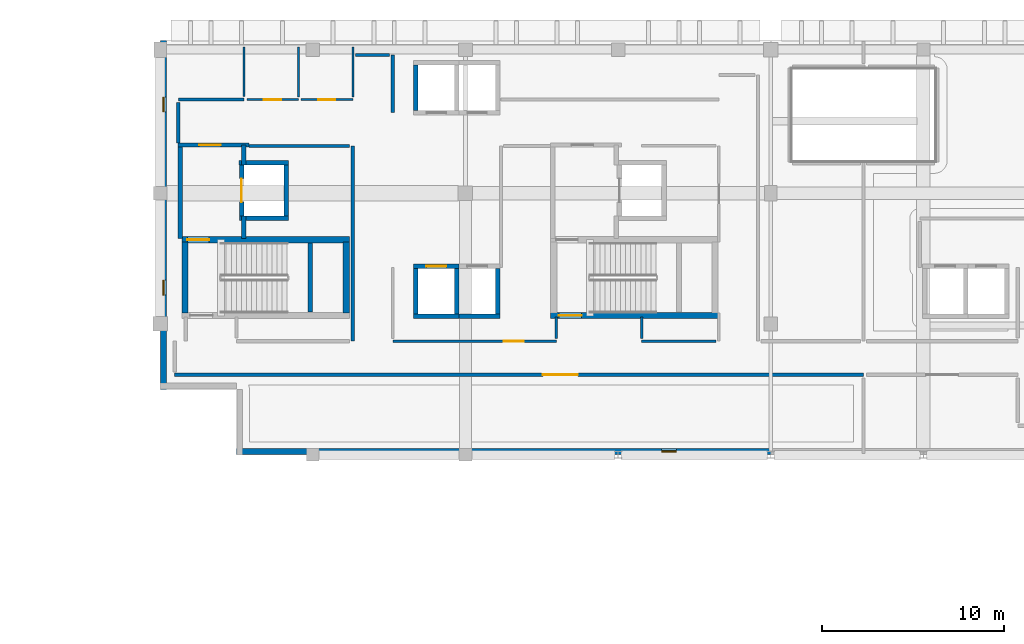
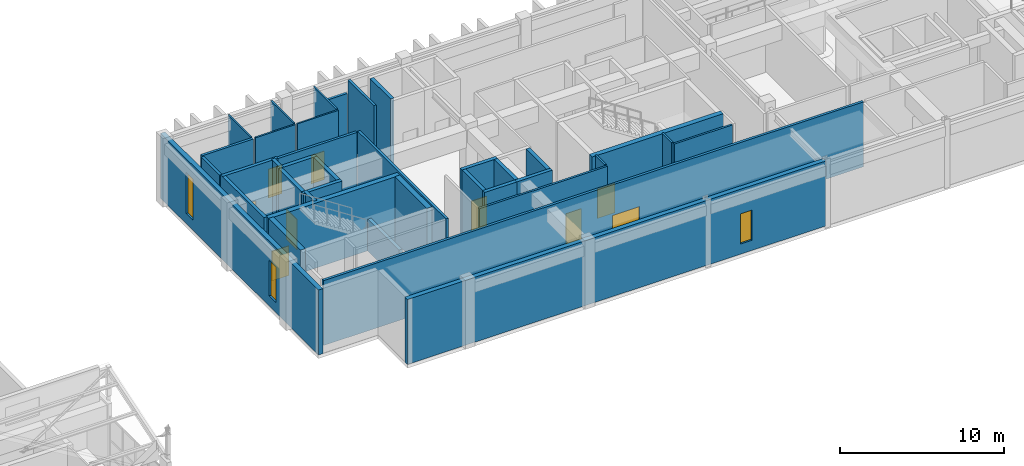
# One storey, part 28 of 34: 38 walls, 9 doors, 3 windows, 12 openings.
"""IFC4 building model written with IfcOpenShell, lengths in metres."""

from ifc_helpers import new_model, si_unit, direction, frame, frame_2d, origin, place, context, subcontext, project, spatial, rectangle, extrude, material, layer, layer_set, type_object, element, fill, save


model = new_model("IFC4")

# Units and contexts
model_context = context("Model", 3, precision=1e-05, world=origin(), true_north=direction((0.0, 1.0)))
body_context = subcontext(model_context, "Body", "Model", "MODEL_VIEW")
ifc_project = project(units=[si_unit("LENGTHUNIT", "METRE"), si_unit("AREAUNIT", "SQUARE_METRE"), si_unit("VOLUMEUNIT", "CUBIC_METRE"), si_unit("PLANEANGLEUNIT", "RADIAN"), si_unit("MASSUNIT", "GRAM", prefix="KILO")], contexts=[model_context])

# Site, building, storey
site_placement = place(None, origin())
site = spatial("IfcSite", under=ifc_project, at=site_placement, CompositionType="ELEMENT")
building_placement = place(site_placement, origin())
building = spatial("IfcBuilding", under=site, at=building_placement, Name="Quendrovan Civic Courthouse", CompositionType="ELEMENT")
storey_placement = place(building_placement, frame((0.0, 0.0, 25.5)))
storey = spatial("IfcBuildingStorey", under=building, at=storey_placement, Name="L06", CompositionType="ELEMENT", Elevation=25.5)

# Walls
ifc_material_1 = material(Name="Acoustic gypsum stud partition")
ifc_layer_1 = layer(ifc_material_1, 0.139892578125, Name="Acoustic gypsum stud partition")
ifc_layer_set_1 = layer_set([ifc_layer_1], Name="Acoustic gypsum stud partition")
wall_type_1 = type_object("IfcWallType", Name="WL-CHM-140", PredefinedType="PARTITIONING", material=ifc_layer_set_1)
wall_1_placement = place(storey_placement, frame((64.199951171875, 93.85009765625, 0.0), z_axis=(0.0, 0.0, 1.0), x_axis=(-1.0, 0.0, 0.0)))
element("IfcWall", 1, at=wall_1_placement, inside=storey, type_object=wall_type_1, Name="L06 Judges' Chambers Suite Partition 0786", PredefinedType="PARTITIONING", context=body_context, shape_type="SweptSolid", body=[
    extrude(rectangle(XDim=4.099853515625, YDim=0.139892578125, at=frame_2d((2.0498046875, 0.0))), origin(), (0.0, 0.0, 1.0), 4.820068359375),
])
wall_2_placement = place(storey_placement, frame((60.10009765625, 94.0, 0.0), z_axis=(0.0, 0.0, 1.0), x_axis=(0.0, 1.0, 0.0)))
element("IfcWall", 2, at=wall_2_placement, inside=storey, type_object=wall_type_1, Name="L06 Judges' Chambers Suite Partition 0820", PredefinedType="PARTITIONING", context=body_context, shape_type="SweptSolid", body=[
    extrude(rectangle(XDim=1.179931640625, YDim=0.139892578125, at=frame_2d((0.58984375, 0.0))), origin(), (0.0, 0.0, 1.0), 4.820068359375),
])

# Wall, opening, door
ifc_material_2 = material(Name="Concrete C45/55", Category="concrete")
ifc_layer_2 = layer(ifc_material_2, 0.35009765625, Name="Concrete C45/55")
ifc_layer_set_2 = layer_set([ifc_layer_2], Name="Concrete C45/55")
wall_type_2 = type_object("IfcWallType", Name="WL-CORE-350", PredefinedType="SHEAR", material=ifc_layer_set_2)
wall_3_placement = place(storey_placement, frame((44.010009765625, 99.43505859375, 0.0), z_axis=(0.0, 0.0, 1.0), x_axis=(-1.0, 0.0, 0.0)))
wall_3 = element("IfcWall", 3, at=wall_3_placement, inside=storey, type_object=wall_type_2, Name="L06 Core Shear Wall ST1-N", PredefinedType="SHEAR", context=body_context, shape_type="SweptSolid", body=[
    extrude(rectangle(XDim=9.219970703125, YDim=0.35009765625, at=frame_2d((4.60986328125, 0.0))), origin(), (0.0, 0.0, 1.0), 4.820068359375),
])
opening_1_placement = place(wall_3_placement, frame((7.719970703125, 0.0, 0.0)))
opening_1 = element("IfcOpeningElement", 4, at=opening_1_placement, cuts=wall_3, Name="Opening DFF-ST1-L06", PredefinedType="OPENING", context=body_context, shape_type="SweptSolid", body=[
    extrude(rectangle(XDim=1.199951171875, YDim=2.199951171875, at=frame_2d((0.60009765625, 1.10009765625))), frame((0.0, 0.18505859375, 0.0), z_axis=(0.0, -1.0, 0.0), x_axis=(1.0, 0.0, 0.0)), (0.0, 0.0, 1.0), 0.3701171875),
])
ifc_material_3 = material(Name="Painted galvanized hollow-metal steel", Category="steel")
door_type_1 = type_object("IfcDoorType", Name="DR-FFLOB-1200", OperationType="NOTDEFINED", PredefinedType="DOOR", material=ifc_material_3)
door_1_placement = place(opening_1_placement, origin())
door_1 = element("IfcDoor", 5, at=door_1_placement, inside=storey, type_object=door_type_1, Name="L06 Firefighting Lobby FL1 Direct Stair ST1 Door", OperationType="SINGLE_SWING_RIGHT", OverallHeight=2.199951171875, OverallWidth=1.199951171875, PredefinedType="DOOR", context=body_context, shape_type="SweptSolid", body=[
    extrude(rectangle(XDim=1.199951171875, YDim=2.199951171875, at=frame_2d((0.60009765625, 1.10009765625))), frame((0.0, 0.02490234375, 0.0), z_axis=(0.0, -1.0, 0.0), x_axis=(1.0, 0.0, 0.0)), (0.0, 0.0, 1.0), 0.050048828125),
])
fill(opening_1, door_1)

# Walls
for number, where, z_axis, x_axis, name in (
    (6, (34.965087890625, 95.39990234375, 0.0), (0.0, 0.0, 1.0), (0.0, 1.0, 0.0), "L06 Core Shear Wall ST1-W"),
    (7, (43.8349609375, 99.300048828125, 0.0), (0.0, 0.0, 1.0), (0.0, -1.0, 0.0), "L06 Core Shear Wall ST1-E"),
):
    element("IfcWall", number, at=place(storey_placement, frame(where, z_axis=z_axis, x_axis=x_axis)), inside=storey, type_object=wall_type_2, Name=name, PredefinedType="SHEAR", context=body_context, shape_type="SweptSolid", body=[
        extrude(rectangle(XDim=3.900146484375, YDim=0.35009765625, at=frame_2d((1.9501953125, 0.0))), origin(), (0.0, 0.0, 1.0), 4.820068359375),
    ])

# Wall, opening, door
wall_4_placement = place(storey_placement, frame((55.090087890625, 95.264892578125, 0.0), z_axis=(0.0, 0.0, 1.0), x_axis=(1.0, 0.0, 0.0)))
wall_4 = element("IfcWall", 8, at=wall_4_placement, inside=storey, type_object=wall_type_2, Name="L06 Core Shear Wall ST2-S", PredefinedType="SHEAR", context=body_context, shape_type="SweptSolid", body=[
    extrude(rectangle(XDim=9.219970703125, YDim=0.35009765625, at=frame_2d((4.60986328125, 0.0))), origin(), (0.0, 0.0, 1.0), 4.820068359375),
])
opening_2_placement = place(wall_4_placement, frame((0.449951171875, 0.0, 0.0)))
opening_2 = element("IfcOpeningElement", 9, at=opening_2_placement, cuts=wall_4, Name="Opening DS-ST2-L06", PredefinedType="OPENING", context=body_context, shape_type="SweptSolid", body=[
    extrude(rectangle(XDim=1.25, YDim=2.199951171875, at=frame_2d((0.625, 1.10009765625))), frame((0.0, 0.18505859375, 0.0), z_axis=(0.0, -1.0, 0.0), x_axis=(1.0, 0.0, 0.0)), (0.0, 0.0, 1.0), 0.3701171875),
])
door_type_2 = type_object("IfcDoorType", Name="DR-STAIR-1250", OperationType="NOTDEFINED", PredefinedType="DOOR", material=ifc_material_3)
door_2_placement = place(opening_2_placement, origin())
door_2 = element("IfcDoor", 10, at=door_2_placement, inside=storey, type_object=door_type_2, Name="L06 Exit Stair ST2 Fire Door", OperationType="SINGLE_SWING_LEFT", OverallHeight=2.199951171875, OverallWidth=1.25, PredefinedType="DOOR", context=body_context, shape_type="SweptSolid", body=[
    extrude(rectangle(XDim=1.25, YDim=2.199951171875, at=frame_2d((0.625, 1.10009765625))), frame((0.0, 0.02490234375, 0.0), z_axis=(0.0, -1.0, 0.0), x_axis=(1.0, 0.0, 0.0)), (0.0, 0.0, 1.0), 0.050048828125),
])
fill(opening_2, door_2)

ifc_material_4 = material(Name="Acoustic gypsum and mineral wool partition")
ifc_layer_3 = layer(ifc_material_4, 0.179931640625, Name="Acoustic gypsum and mineral wool partition")
ifc_layer_set_3 = layer_set([ifc_layer_3], Name="Acoustic gypsum and mineral wool partition")
wall_type_3 = type_object("IfcWallType", Name="WL-CRT-AC180", PredefinedType="PARTITIONING", material=ifc_layer_set_3)
wall_5_placement = place(storey_placement, frame((34.39990234375, 92.0, 0.0), z_axis=(0.0, 0.0, 1.0), x_axis=(1.0, 0.0, 0.0)))
wall_5 = element("IfcWall", 11, at=wall_5_placement, inside=storey, type_object=wall_type_3, Name="L06 Family Courtroom Partition 0752", PredefinedType="PARTITIONING", context=body_context, shape_type="SweptSolid", body=[
    extrude(rectangle(XDim=37.900146484375, YDim=0.179931640625, at=frame_2d((18.9501953125, 0.0))), origin(), (0.0, 0.0, 1.0), 4.820068359375),
])
opening_3_placement = place(wall_5_placement, frame((20.263916015625, 0.0, 0.0)))
opening_3 = element("IfcOpeningElement", 12, at=opening_3_placement, cuts=wall_5, Name="Opening D-L06-110", PredefinedType="OPENING", context=body_context, shape_type="SweptSolid", body=[
    extrude(rectangle(XDim=1.919921875, YDim=2.550048828125, at=frame_2d((0.9599609375, 1.27490234375))), frame((0.0, 0.10009765625, 0.0), z_axis=(0.0, -1.0, 0.0), x_axis=(1.0, 0.0, 0.0)), (0.0, 0.0, 1.0), 0.199951171875),
])
ifc_material_5 = material(Name="Acoustic solid Western Red Cedar timber door", Category="wood")
door_type_3 = type_object("IfcDoorType", Name="DR-CRT-DBL1920", OperationType="NOTDEFINED", PredefinedType="DOOR", material=ifc_material_5)
door_3_placement = place(opening_3_placement, origin())
door_3 = element("IfcDoor", 13, at=door_3_placement, inside=storey, type_object=door_type_3, Name="L06 Family Courtroom Door D-L06-110", OperationType="SINGLE_SWING_LEFT", OverallHeight=2.550048828125, OverallWidth=1.919921875, PredefinedType="DOOR", context=body_context, shape_type="SweptSolid", body=[
    extrude(rectangle(XDim=1.919921875, YDim=2.550048828125, at=frame_2d((0.9599609375, 1.27490234375))), frame((0.0, 0.02490234375, 0.0), z_axis=(0.0, -1.0, 0.0), x_axis=(1.0, 0.0, 0.0)), (0.0, 0.0, 1.0), 0.050048828125),
])
fill(opening_3, door_3)

# Walls
wall_6_placement = place(storey_placement, frame((44.199951171875, 104.60009765625, 0.0), z_axis=(0.0, 0.0, 1.0), x_axis=(0.0, -1.0, 0.0)))
element("IfcWall", 14, at=wall_6_placement, inside=storey, type_object=wall_type_3, Name="L06 Family Courtroom Partition 0763", PredefinedType="PARTITIONING", context=body_context, shape_type="SweptSolid", body=[
    extrude(rectangle(XDim=10.75, YDim=0.179931640625, at=frame_2d((5.375, 0.0))), origin(), (0.0, 0.0, 1.0), 4.820068359375),
])
wall_7_placement = place(storey_placement, frame((38.47998046875, 104.60009765625, 0.0), z_axis=(0.0, 0.0, 1.0), x_axis=(1.0, 0.0, 0.0)))
element("IfcWall", 15, at=wall_7_placement, inside=storey, type_object=wall_type_3, Name="L06 Family Courtroom Partition 0773", PredefinedType="PARTITIONING", context=body_context, shape_type="SweptSolid", body=[
    extrude(rectangle(XDim=5.550048828125, YDim=0.179931640625, at=frame_2d((2.77490234375, 0.0))), origin(), (0.0, 0.0, 1.0), 4.820068359375),
])
wall_8_placement = place(storey_placement, frame((38.199951171875, 107.14990234375, 0.0), z_axis=(0.0, 0.0, 1.0), x_axis=(-1.0, 0.0, 0.0)))
element("IfcWall", 16, at=wall_8_placement, inside=storey, type_object=wall_type_3, Name="L06 Family Courtroom Partition 0793", PredefinedType="PARTITIONING", context=body_context, shape_type="SweptSolid", body=[
    extrude(rectangle(XDim=3.599853515625, YDim=0.179931640625, at=frame_2d((1.7998046875, 0.0))), origin(), (0.0, 0.0, 1.0), 4.820068359375),
])
wall_9_placement = place(storey_placement, frame((46.39990234375, 106.449951171875, 0.0), z_axis=(0.0, 0.0, 1.0), x_axis=(0.0, 1.0, 0.0)))
element("IfcWall", 17, at=wall_9_placement, inside=storey, type_object=wall_type_3, Name="L06 Family Courtroom Partition 0794", PredefinedType="PARTITIONING", context=body_context, shape_type="SweptSolid", body=[
    extrude(rectangle(XDim=3.150146484375, YDim=0.179931640625, at=frame_2d((1.5751953125, 0.0))), origin(), (0.0, 0.0, 1.0), 4.820068359375),
])
wall_10_placement = place(storey_placement, frame((34.60009765625, 106.97998046875, 0.0), z_axis=(0.0, 0.0, 1.0), x_axis=(0.0, -1.0, 0.0)))
element("IfcWall", 18, at=wall_10_placement, inside=storey, type_object=wall_type_3, Name="L06 Family Courtroom Partition 0806", PredefinedType="PARTITIONING", context=body_context, shape_type="SweptSolid", body=[
    extrude(rectangle(XDim=2.2099609375, YDim=0.179931640625, at=frame_2d((1.10498046875, 0.0))), origin(), (0.0, 0.0, 1.0), 4.820068359375),
])
wall_11_placement = place(storey_placement, frame((46.22998046875, 109.60009765625, 0.0), z_axis=(0.0, 0.0, 1.0), x_axis=(-1.0, 0.0, 0.0)))
element("IfcWall", 19, at=wall_11_placement, inside=storey, type_object=wall_type_3, Name="L06 Family Courtroom Partition 0812", PredefinedType="PARTITIONING", context=body_context, shape_type="SweptSolid", body=[
    extrude(rectangle(XDim=1.89501953125, YDim=0.179931640625, at=frame_2d((0.947509765625, 0.0))), origin(), (0.0, 0.0, 1.0), 3.89990234375),
])

# Wall, opening, window
ifc_material_6 = material(Name="Precast concrete C45/55", Category="concrete")
ifc_layer_4 = layer(ifc_material_6, 0.320068359375, Name="Precast concrete C45/55")
ifc_layer_set_4 = layer_set([ifc_layer_4], Name="Precast concrete C45/55")
wall_type_4 = type_object("IfcWallType", Name="WL-EXT-PC320", PredefinedType="SOLIDWALL", material=ifc_layer_set_4)
wall_12_placement = place(storey_placement, frame((67.199951171875, 87.780029296875, 0.0), z_axis=(0.0, 0.0, 1.0), x_axis=(-1.0, 0.0, 0.0)))
wall_12 = element("IfcWall", 20, at=wall_12_placement, inside=storey, type_object=wall_type_4, Name="L06 Exterior Precast Concrete Wall 497", PredefinedType="SOLIDWALL", context=body_context, shape_type="SweptSolid", body=[
    extrude(rectangle(XDim=29.39990234375, YDim=0.320068359375, at=frame_2d((14.699951171875, 0.0))), origin(), (0.0, 0.0, 1.0), 4.820068359375),
])
opening_4_placement = place(wall_12_placement, frame((5.18994140625, 0.0, 0.75)))
opening_4 = element("IfcOpeningElement", 21, at=opening_4_placement, cuts=wall_12, Name="Opening W07", PredefinedType="OPENING", context=body_context, shape_type="SweptSolid", body=[
    extrude(rectangle(XDim=0.820068359375, YDim=2.25, at=frame_2d((0.41015625, 1.125))), frame((0.0, 0.169921875, 0.0), z_axis=(0.0, -1.0, 0.0), x_axis=(1.0, 0.0, 0.0)), (0.0, 0.0, 1.0), 0.340087890625),
])
ifc_material_7 = material(Name="Laminated hurricane-impact low-E glass", Category="glass")
window_type_1 = type_object("IfcWindowType", Name="WIN-SLT-07", PartitioningType="SINGLE_PANEL", PredefinedType="WINDOW", material=ifc_material_7)
window_1_placement = place(opening_4_placement, origin())
window_1 = element("IfcWindow", 22, at=window_1_placement, inside=storey, type_object=window_type_1, Name="L06 Courtroom Shaded Slot Window 0044", OverallHeight=2.25, OverallWidth=0.820068359375, PartitioningType="SINGLE_PANEL", PredefinedType="WINDOW", context=body_context, shape_type="SweptSolid", body=[
    extrude(rectangle(XDim=0.820068359375, YDim=2.25, at=frame_2d((0.41015625, 1.125))), frame((0.0, 0.030029296875, 0.0), z_axis=(0.0, -1.0, 0.0), x_axis=(1.0, 0.0, 0.0)), (0.0, 0.0, 1.0), 0.06005859375),
])
fill(opening_4, window_1)

# Wall, openings, windows
wall_13_placement = place(storey_placement, frame((33.780029296875, 91.199951171875, 0.0), z_axis=(0.0, 0.0, 1.0), x_axis=(0.0, 1.0, 0.0)))
wall_13 = element("IfcWall", 23, at=wall_13_placement, inside=storey, type_object=wall_type_4, Name="L06 Exterior Precast Concrete Wall 500", PredefinedType="SOLIDWALL", context=body_context, shape_type="SweptSolid", body=[
    extrude(rectangle(XDim=19.199951171875, YDim=0.320068359375, at=frame_2d((9.60009765625, 0.0))), origin(), (0.0, 0.0, 1.0), 4.820068359375),
])
opening_5_placement = place(wall_13_placement, frame((5.18994140625, 0.0, 0.75)))
opening_5 = element("IfcOpeningElement", 24, at=opening_5_placement, cuts=wall_13, Name="Opening W08", PredefinedType="OPENING", context=body_context, shape_type="SweptSolid", body=[
    extrude(rectangle(XDim=0.820068359375, YDim=2.64990234375, at=frame_2d((0.41015625, 1.324951171875))), frame((0.0, 0.169921875, 0.0), z_axis=(0.0, -1.0, 0.0), x_axis=(1.0, 0.0, 0.0)), (0.0, 0.0, 1.0), 0.340087890625),
])
opening_6_placement = place(wall_13_placement, frame((15.27001953125, 0.0, 0.75)))
opening_6 = element("IfcOpeningElement", 25, at=opening_6_placement, cuts=wall_13, Name="Opening W09", PredefinedType="OPENING", context=body_context, shape_type="SweptSolid", body=[
    extrude(rectangle(XDim=0.820068359375, YDim=3.050048828125, at=frame_2d((0.41015625, 1.52490234375))), frame((0.0, 0.169921875, 0.0), z_axis=(0.0, -1.0, 0.0), x_axis=(1.0, 0.0, 0.0)), (0.0, 0.0, 1.0), 0.340087890625),
])
window_type_2 = type_object("IfcWindowType", Name="WIN-SLT-08", PartitioningType="SINGLE_PANEL", PredefinedType="WINDOW", material=ifc_material_7)
window_2_placement = place(opening_5_placement, origin())
window_2 = element("IfcWindow", 26, at=window_2_placement, inside=storey, type_object=window_type_2, Name="L06 Courtroom Shaded Slot Window 0045", OverallHeight=2.64990234375, OverallWidth=0.820068359375, PartitioningType="SINGLE_PANEL", PredefinedType="WINDOW", context=body_context, shape_type="SweptSolid", body=[
    extrude(rectangle(XDim=0.820068359375, YDim=2.64990234375, at=frame_2d((0.41015625, 1.324951171875))), frame((0.0, 0.030029296875, 0.0), z_axis=(0.0, -1.0, 0.0), x_axis=(1.0, 0.0, 0.0)), (0.0, 0.0, 1.0), 0.06005859375),
])
fill(opening_5, window_2)
window_type_3 = type_object("IfcWindowType", Name="WIN-SLT-09", PartitioningType="SINGLE_PANEL", PredefinedType="WINDOW", material=ifc_material_7)
window_3_placement = place(opening_6_placement, origin())
window_3 = element("IfcWindow", 27, at=window_3_placement, inside=storey, type_object=window_type_3, Name="L06 Courtroom Shaded Slot Window 0046", OverallHeight=3.050048828125, OverallWidth=0.820068359375, PartitioningType="SINGLE_PANEL", PredefinedType="WINDOW", context=body_context, shape_type="SweptSolid", body=[
    extrude(rectangle(XDim=0.820068359375, YDim=3.050048828125, at=frame_2d((0.41015625, 1.52490234375))), frame((0.0, 0.030029296875, 0.0), z_axis=(0.0, -1.0, 0.0), x_axis=(1.0, 0.0, 0.0)), (0.0, 0.0, 1.0), 0.06005859375),
])
fill(opening_6, window_3)

# Wall, opening, door
ifc_material_8 = material(Name="Concrete C40/50", Category="concrete")
ifc_layer_5 = layer(ifc_material_8, 0.22998046875, Name="Concrete C40/50")
ifc_layer_set_5 = layer_set([ifc_layer_5], Name="Concrete C40/50")
wall_type_5 = type_object("IfcWallType", Name="WL-FFLOB-230", PredefinedType="PARTITIONING", material=ifc_layer_set_5)
wall_14_placement = place(storey_placement, frame((34.590087890625, 104.64990234375, 0.0), z_axis=(0.0, 0.0, 1.0), x_axis=(1.0, 0.0, 0.0)))
wall_14 = element("IfcWall", 28, at=wall_14_placement, inside=storey, type_object=wall_type_5, Name="L06 Firefighting Lift Lobby FL1 Wall N", PredefinedType="PARTITIONING", context=body_context, shape_type="SweptSolid", body=[
    extrude(rectangle(XDim=3.889892578125, YDim=0.22998046875, at=frame_2d((1.94482421875, 0.0))), origin(), (0.0, 0.0, 1.0), 4.820068359375),
])
opening_7_placement = place(wall_14_placement, frame((1.14990234375, 0.0, 0.0)))
opening_7 = element("IfcOpeningElement", 29, at=opening_7_placement, cuts=wall_14, Name="Opening DF-FL1-L06N", PredefinedType="OPENING", context=body_context, shape_type="SweptSolid", body=[
    extrude(rectangle(XDim=1.199951171875, YDim=2.199951171875, at=frame_2d((0.60009765625, 1.10009765625))), frame((0.0, 0.125, 0.0), z_axis=(0.0, -1.0, 0.0), x_axis=(1.0, 0.0, 0.0)), (0.0, 0.0, 1.0), 0.25),
])
door_4_placement = place(opening_7_placement, origin())
door_4 = element("IfcDoor", 30, at=door_4_placement, inside=storey, type_object=door_type_1, Name="L06 Firefighting Lobby FL1 Fire Door N", OperationType="SINGLE_SWING_LEFT", OverallHeight=2.199951171875, OverallWidth=1.199951171875, PredefinedType="DOOR", context=body_context, shape_type="SweptSolid", body=[
    extrude(rectangle(XDim=1.199951171875, YDim=2.199951171875, at=frame_2d((0.60009765625, 1.10009765625))), frame((0.0, 0.02490234375, 0.0), z_axis=(0.0, -1.0, 0.0), x_axis=(1.0, 0.0, 0.0)), (0.0, 0.0, 1.0), 0.050048828125),
])
fill(opening_7, door_4)

# Walls
wall_15_placement = place(storey_placement, frame((34.699951171875, 99.5, 0.0), z_axis=(0.0, 0.0, 1.0), x_axis=(0.0, 1.0, 0.0)))
element("IfcWall", 31, at=wall_15_placement, inside=storey, type_object=wall_type_5, Name="L06 Firefighting Lift Lobby FL1 Wall W", PredefinedType="PARTITIONING", context=body_context, shape_type="SweptSolid", body=[
    extrude(rectangle(XDim=5.260009765625, YDim=0.22998046875, at=frame_2d((2.6298828125, 0.0))), origin(), (0.0, 0.0, 1.0), 4.820068359375),
])
wall_16_placement = place(storey_placement, frame((38.199951171875, 104.64990234375, 0.0), z_axis=(0.0, 0.0, 1.0), x_axis=(0.0, -1.0, 0.0)))
element("IfcWall", 32, at=wall_16_placement, inside=storey, type_object=wall_type_5, Name="L06 Firefighting Lift Lobby FL1 Wall EN", PredefinedType="PARTITIONING", context=body_context, shape_type="SweptSolid", body=[
    extrude(rectangle(XDim=1.099853515625, YDim=0.22998046875, at=frame_2d((0.5498046875, 0.0))), origin(), (0.0, 0.0, 1.0), 4.820068359375),
])
wall_17_placement = place(storey_placement, frame((38.199951171875, 100.75, 0.0), z_axis=(0.0, 0.0, 1.0), x_axis=(0.0, -1.0, 0.0)))
element("IfcWall", 33, at=wall_17_placement, inside=storey, type_object=wall_type_5, Name="L06 Firefighting Lift Lobby FL1 Wall ES", PredefinedType="PARTITIONING", context=body_context, shape_type="SweptSolid", body=[
    extrude(rectangle(XDim=1.25, YDim=0.22998046875, at=frame_2d((0.625, 0.0))), origin(), (0.0, 0.0, 1.0), 4.820068359375),
])

# Wall, opening, door
ifc_layer_6 = layer(ifc_material_1, 0.14990234375, Name="Acoustic gypsum stud partition")
ifc_layer_set_6 = layer_set([ifc_layer_6], Name="Acoustic gypsum stud partition")
wall_type_6 = type_object("IfcWallType", Name="WL-JURY-150", PredefinedType="PARTITIONING", material=ifc_layer_set_6)
wall_18_placement = place(storey_placement, frame((55.39990234375, 93.85009765625, 0.0), z_axis=(0.0, 0.0, 1.0), x_axis=(-1.0, 0.0, 0.0)))
wall_18 = element("IfcWall", 34, at=wall_18_placement, inside=storey, type_object=wall_type_6, Name="L06 Jury Room Partition 0767", PredefinedType="PARTITIONING", context=body_context, shape_type="SweptSolid", body=[
    extrude(rectangle(XDim=9.0, YDim=0.14990234375, at=frame_2d((4.5, 0.0))), origin(), (0.0, 0.0, 1.0), 4.820068359375),
])
opening_8_placement = place(wall_18_placement, frame((1.800048828125, 0.0, 0.0)))
opening_8 = element("IfcOpeningElement", 35, at=opening_8_placement, cuts=wall_18, Name="Opening D-L06-112", PredefinedType="OPENING", context=body_context, shape_type="SweptSolid", body=[
    extrude(rectangle(XDim=1.080078125, YDim=2.280029296875, at=frame_2d((0.5400390625, 1.14013671875))), frame((0.0, 0.0849609375, 0.0), z_axis=(0.0, -1.0, 0.0), x_axis=(1.0, 0.0, 0.0)), (0.0, 0.0, 1.0), 0.169921875),
])
ifc_material_9 = material(Name="Acoustic solid timber door", Category="wood")
door_type_4 = type_object("IfcDoorType", Name="DR-JURY-1080", OperationType="NOTDEFINED", PredefinedType="DOOR", material=ifc_material_9)
door_5_placement = place(opening_8_placement, origin())
door_5 = element("IfcDoor", 36, at=door_5_placement, inside=storey, type_object=door_type_4, Name="L06 Jury Room Door D-L06-112", OperationType="SINGLE_SWING_LEFT", OverallHeight=2.280029296875, OverallWidth=1.080078125, PredefinedType="DOOR", context=body_context, shape_type="SweptSolid", body=[
    extrude(rectangle(XDim=1.080078125, YDim=2.280029296875, at=frame_2d((0.5400390625, 1.14013671875))), frame((0.0, 0.02490234375, 0.0), z_axis=(0.0, -1.0, 0.0), x_axis=(1.0, 0.0, 0.0)), (0.0, 0.0, 1.0), 0.050048828125),
])
fill(opening_8, door_5)

# Walls
wall_19_placement = place(storey_placement, frame((55.39990234375, 95.179931640625, 0.0), z_axis=(0.0, 0.0, 1.0), x_axis=(0.0, -1.0, 0.0)))
element("IfcWall", 37, at=wall_19_placement, inside=storey, type_object=wall_type_6, Name="L06 Jury Room Partition 0819", PredefinedType="PARTITIONING", context=body_context, shape_type="SweptSolid", body=[
    extrude(rectangle(XDim=1.175048828125, YDim=0.14990234375, at=frame_2d((0.58740234375, 0.0))), origin(), (0.0, 0.0, 1.0), 4.820068359375),
])
ifc_layer_7 = layer(ifc_material_2, 0.25, Name="Concrete C45/55")
ifc_layer_set_7 = layer_set([ifc_layer_7], Name="Concrete C45/55")
wall_type_7 = type_object("IfcWallType", Name="WL-SHAFT-250", PredefinedType="SHEAR", material=ifc_layer_set_7)
wall_20_placement = place(storey_placement, frame((41.85009765625, 95.449951171875, 0.0), z_axis=(0.0, 0.0, 1.0), x_axis=(0.0, 1.0, 0.0)))
element("IfcWall", 38, at=wall_20_placement, inside=storey, type_object=wall_type_7, Name="L06 Stair ST1 Mid-Landing Bearing Wall", PredefinedType="SHEAR", context=body_context, shape_type="SweptSolid", body=[
    extrude(rectangle(XDim=3.800048828125, YDim=0.25, at=frame_2d((1.89990234375, 0.0))), origin(), (0.0, 0.0, 1.0), 2.3701171875),
])
wall_21_placement = place(storey_placement, frame((47.550048828125, 95.22509765625, 0.0), z_axis=(0.0, 0.0, 1.0), x_axis=(1.0, 0.0, 0.0)))
element("IfcWall", 39, at=wall_21_placement, inside=storey, type_object=wall_type_7, Name="L06 Lift Hoistway Wall PL3 -Y", PredefinedType="SHEAR", context=body_context, shape_type="SweptSolid", body=[
    extrude(rectangle(XDim=2.5, YDim=0.25, at=frame_2d((1.25, 0.0))), origin(), (0.0, 0.0, 1.0), 4.820068359375),
])

# Wall, opening, door
wall_22_placement = place(storey_placement, frame((50.050048828125, 97.97509765625, 0.0), z_axis=(0.0, 0.0, 1.0), x_axis=(-1.0, 0.0, 0.0)))
wall_22 = element("IfcWall", 40, at=wall_22_placement, inside=storey, type_object=wall_type_7, Name="L06 Lift Hoistway Wall PL3 +Y", PredefinedType="SHEAR", context=body_context, shape_type="SweptSolid", body=[
    extrude(rectangle(XDim=2.5, YDim=0.25, at=frame_2d((1.25, 0.0))), origin(), (0.0, 0.0, 1.0), 4.820068359375),
])
opening_9_placement = place(wall_22_placement, frame((0.699951171875, 0.0, 0.0)))
opening_9 = element("IfcOpeningElement", 41, at=opening_9_placement, cuts=wall_22, Name="Opening LD-PL3-L06", PredefinedType="OPENING", context=body_context, shape_type="SweptSolid", body=[
    extrude(rectangle(XDim=1.10009765625, YDim=2.199951171875, at=frame_2d((0.550048828125, 1.10009765625))), frame((0.0, 0.135009765625, 0.0), z_axis=(0.0, -1.0, 0.0), x_axis=(1.0, 0.0, 0.0)), (0.0, 0.0, 1.0), 0.27001953125),
])
ifc_material_10 = material(Name="Brushed bronze-anodised stainless steel", Category="steel")
door_type_5 = type_object("IfcDoorType", Name="DR-LIFT-LD-PL", OperationType="NOTDEFINED", PredefinedType="DOOR", material=ifc_material_10)
door_6_placement = place(opening_9_placement, origin())
door_6 = element("IfcDoor", 42, at=door_6_placement, inside=storey, type_object=door_type_5, Name="L06 Lift PL3 Sliding Landing Door", OperationType="SLIDING_TO_LEFT", OverallHeight=2.199951171875, OverallWidth=1.10009765625, PredefinedType="DOOR", context=body_context, shape_type="SweptSolid", body=[
    extrude(rectangle(XDim=1.10009765625, YDim=2.199951171875, at=frame_2d((0.550048828125, 1.10009765625))), frame((0.0, 0.02490234375, 0.0), z_axis=(0.0, -1.0, 0.0), x_axis=(1.0, 0.0, 0.0)), (0.0, 0.0, 1.0), 0.050048828125),
])
fill(opening_9, door_6)

# Walls
for number, where, z_axis, x_axis, name in (
    (43, (47.675048828125, 95.35009765625, 0.0), (0.0, 0.0, 1.0), (0.0, 1.0, 0.0), "L06 Lift Hoistway Wall PL3 -X"),
    (44, (49.925048828125, 97.85009765625, 0.0), (0.0, 0.0, 1.0), (0.0, -1.0, 0.0), "L06 Lift Hoistway Wall PL3 +X"),
    (45, (49.800048828125, 95.22509765625, 0.0), (0.0, 0.0, 1.0), (1.0, 0.0, 0.0), "L06 Lift Hoistway Wall PL4 -Y"),
    (46, (52.175048828125, 97.85009765625, 0.0), (0.0, 0.0, 1.0), (0.0, -1.0, 0.0), "L06 Lift Hoistway Wall PL4 +X"),
    (47, (47.675048828125, 106.550048828125, 0.0), (0.0, 0.0, 1.0), (0.0, 1.0, 0.0), "L06 Lift Hoistway Wall JL1 -X"),
):
    element("IfcWall", number, at=place(storey_placement, frame(where, z_axis=z_axis, x_axis=x_axis)), inside=storey, type_object=wall_type_7, Name=name, PredefinedType="SHEAR", context=body_context, shape_type="SweptSolid", body=[
        extrude(rectangle(XDim=2.5, YDim=0.25, at=frame_2d((1.25, 0.0))), origin(), (0.0, 0.0, 1.0), 4.820068359375),
    ])
for number, where, z_axis, x_axis, name in (
    (48, (37.949951171875, 100.625, 0.0), (0.0, 0.0, 1.0), (1.0, 0.0, 0.0), "L06 Lift Hoistway Wall FL1 -Y"),
    (49, (40.64990234375, 103.675048828125, 0.0), (0.0, 0.0, 1.0), (-1.0, 0.0, 0.0), "L06 Lift Hoistway Wall FL1 +Y"),
):
    element("IfcWall", number, at=place(storey_placement, frame(where, z_axis=z_axis, x_axis=x_axis)), inside=storey, type_object=wall_type_7, Name=name, PredefinedType="SHEAR", context=body_context, shape_type="SweptSolid", body=[
        extrude(rectangle(XDim=2.699951171875, YDim=0.25, at=frame_2d((1.35009765625, 0.0))), origin(), (0.0, 0.0, 1.0), 4.820068359375),
    ])

# Wall, opening, door
wall_23_placement = place(storey_placement, frame((38.074951171875, 100.75, 0.0), z_axis=(0.0, 0.0, 1.0), x_axis=(0.0, 1.0, 0.0)))
wall_23 = element("IfcWall", 50, at=wall_23_placement, inside=storey, type_object=wall_type_7, Name="L06 Lift Hoistway Wall FL1 -X", PredefinedType="SHEAR", context=body_context, shape_type="SweptSolid", body=[
    extrude(rectangle(XDim=2.800048828125, YDim=0.25, at=frame_2d((1.39990234375, 0.0))), origin(), (0.0, 0.0, 1.0), 4.820068359375),
])
opening_10_placement = place(wall_23_placement, frame((0.75, 0.0, 0.0)))
opening_10 = element("IfcOpeningElement", 51, at=opening_10_placement, cuts=wall_23, Name="Opening LD-FL1-L06", PredefinedType="OPENING", context=body_context, shape_type="SweptSolid", body=[
    extrude(rectangle(XDim=1.300048828125, YDim=2.25, at=frame_2d((0.64990234375, 1.125))), frame((0.0, 0.135009765625, 0.0), z_axis=(0.0, -1.0, 0.0), x_axis=(1.0, 0.0, 0.0)), (0.0, 0.0, 1.0), 0.27001953125),
])
ifc_material_11 = material(Name="Smoke-tight fire-service stainless steel", Category="steel")
door_type_6 = type_object("IfcDoorType", Name="DR-LIFT-LD-FL", OperationType="NOTDEFINED", PredefinedType="DOOR", material=ifc_material_11)
door_7_placement = place(opening_10_placement, origin())
door_7 = element("IfcDoor", 52, at=door_7_placement, inside=storey, type_object=door_type_6, Name="L06 Lift FL1 Sliding Landing Door", OperationType="SLIDING_TO_LEFT", OverallHeight=2.25, OverallWidth=1.300048828125, PredefinedType="DOOR", context=body_context, shape_type="SweptSolid", body=[
    extrude(rectangle(XDim=1.300048828125, YDim=2.25, at=frame_2d((0.64990234375, 1.125))), frame((0.0, 0.02490234375, 0.0), z_axis=(0.0, -1.0, 0.0), x_axis=(1.0, 0.0, 0.0)), (0.0, 0.0, 1.0), 0.050048828125),
])
fill(opening_10, door_7)

# Wall
wall_24_placement = place(storey_placement, frame((40.52490234375, 103.550048828125, 0.0), z_axis=(0.0, 0.0, 1.0), x_axis=(0.0, -1.0, 0.0)))
element("IfcWall", 53, at=wall_24_placement, inside=storey, type_object=wall_type_7, Name="L06 Lift Hoistway Wall FL1 +X", PredefinedType="SHEAR", context=body_context, shape_type="SweptSolid", body=[
    extrude(rectangle(XDim=2.800048828125, YDim=0.25, at=frame_2d((1.39990234375, 0.0))), origin(), (0.0, 0.0, 1.0), 4.820068359375),
])

# Wall, opening, door
ifc_material_12 = material(Name="Moisture-resistant tile-backer partition")
ifc_layer_8 = layer(ifc_material_12, 0.110107421875, Name="Moisture-resistant tile-backer partition")
ifc_layer_set_8 = layer_set([ifc_layer_8], Name="Moisture-resistant tile-backer partition")
wall_type_8 = type_object("IfcWallType", Name="WL-WET-110", PredefinedType="PARTITIONING", material=ifc_layer_set_8)
wall_25_placement = place(storey_placement, frame((41.199951171875, 107.14990234375, 0.0), z_axis=(0.0, 0.0, 1.0), x_axis=(-1.0, 0.0, 0.0)))
wall_25 = element("IfcWall", 54, at=wall_25_placement, inside=storey, type_object=wall_type_8, Name="L06 L06 Accessible WC Partition 0795", PredefinedType="PARTITIONING", context=body_context, shape_type="SweptSolid", body=[
    extrude(rectangle(XDim=2.829833984375, YDim=0.110107421875, at=frame_2d((1.4150390625, 0.0))), origin(), (0.0, 0.0, 1.0), 4.820068359375),
])
opening_11_placement = place(wall_25_placement, frame((0.93505859375, 0.0, 0.0)))
opening_11 = element("IfcOpeningElement", 55, at=opening_11_placement, cuts=wall_25, Name="Opening D-L06-103", PredefinedType="OPENING", context=body_context, shape_type="SweptSolid", body=[
    extrude(rectangle(XDim=0.9599609375, YDim=2.139892578125, at=frame_2d((0.47998046875, 1.06982421875))), frame((0.0, 0.06494140625, 0.0), z_axis=(0.0, -1.0, 0.0), x_axis=(1.0, 0.0, 0.0)), (0.0, 0.0, 1.0), 0.130126953125),
])
ifc_material_13 = material(Name="Moisture-resistant laminate timber door", Category="wood")
door_type_7 = type_object("IfcDoorType", Name="DR-WC-ACC-960", OperationType="NOTDEFINED", PredefinedType="DOOR", material=ifc_material_13)
door_8_placement = place(opening_11_placement, origin())
door_8 = element("IfcDoor", 56, at=door_8_placement, inside=storey, type_object=door_type_7, Name="L06 L06 Accessible WC Door D-L06-103", OperationType="SINGLE_SWING_RIGHT", OverallHeight=2.139892578125, OverallWidth=0.9599609375, PredefinedType="DOOR", context=body_context, shape_type="SweptSolid", body=[
    extrude(rectangle(XDim=0.9599609375, YDim=2.139892578125, at=frame_2d((0.47998046875, 1.06982421875))), frame((0.0, 0.02490234375, 0.0), z_axis=(0.0, -1.0, 0.0), x_axis=(1.0, 0.0, 0.0)), (0.0, 0.0, 1.0), 0.050048828125),
])
fill(opening_11, door_8)

wall_26_placement = place(storey_placement, frame((44.199951171875, 107.14990234375, 0.0), z_axis=(0.0, 0.0, 1.0), x_axis=(-1.0, 0.0, 0.0)))
wall_26 = element("IfcWall", 57, at=wall_26_placement, inside=storey, type_object=wall_type_8, Name="L06 L06 Judicial and Public Restroom Partition 0796", PredefinedType="PARTITIONING", context=body_context, shape_type="SweptSolid", body=[
    extrude(rectangle(XDim=2.864990234375, YDim=0.110107421875, at=frame_2d((1.4326171875, 0.0))), origin(), (0.0, 0.0, 1.0), 4.820068359375),
])
opening_12_placement = place(wall_26_placement, frame((0.972412109375, 0.0, 0.0)))
opening_12 = element("IfcOpeningElement", 58, at=opening_12_placement, cuts=wall_26, Name="Opening D-L06-104", PredefinedType="OPENING", context=body_context, shape_type="SweptSolid", body=[
    extrude(rectangle(XDim=0.919921875, YDim=2.1201171875, at=frame_2d((0.4599609375, 1.06005859375))), frame((0.0, 0.06494140625, 0.0), z_axis=(0.0, -1.0, 0.0), x_axis=(1.0, 0.0, 0.0)), (0.0, 0.0, 1.0), 0.130126953125),
])
door_type_8 = type_object("IfcDoorType", Name="DR-WC-STD-920", OperationType="NOTDEFINED", PredefinedType="DOOR", material=ifc_material_13)
door_9_placement = place(opening_12_placement, origin())
door_9 = element("IfcDoor", 59, at=door_9_placement, inside=storey, type_object=door_type_8, Name="L06 L06 Judicial and Public Restroom Door D-L06-104", OperationType="SINGLE_SWING_LEFT", OverallHeight=2.1201171875, OverallWidth=0.919921875, PredefinedType="DOOR", context=body_context, shape_type="SweptSolid", body=[
    extrude(rectangle(XDim=0.919921875, YDim=2.1201171875, at=frame_2d((0.4599609375, 1.06005859375))), frame((0.0, 0.02490234375, 0.0), z_axis=(0.0, -1.0, 0.0), x_axis=(1.0, 0.0, 0.0)), (0.0, 0.0, 1.0), 0.050048828125),
])
fill(opening_12, door_9)

# Walls
wall_27_placement = place(storey_placement, frame((41.199951171875, 110.050048828125, 0.0), z_axis=(0.0, 0.0, 1.0), x_axis=(0.0, -1.0, 0.0)))
element("IfcWall", 60, at=wall_27_placement, inside=storey, type_object=wall_type_8, Name="L06 L06 Accessible WC Partition 0798", PredefinedType="PARTITIONING", context=body_context, shape_type="SweptSolid", body=[
    extrude(rectangle(XDim=2.76513671875, YDim=0.110107421875, at=frame_2d((1.382568359375, 0.0))), origin(), (0.0, 0.0, 1.0), 4.820068359375),
])
wall_28_placement = place(storey_placement, frame((38.199951171875, 107.320068359375, 0.0), z_axis=(0.0, 0.0, 1.0), x_axis=(0.0, 1.0, 0.0)))
element("IfcWall", 61, at=wall_28_placement, inside=storey, type_object=wall_type_8, Name="L06 L06 Accessible WC Partition 0799", PredefinedType="PARTITIONING", context=body_context, shape_type="SweptSolid", body=[
    extrude(rectangle(XDim=2.72998046875, YDim=0.110107421875, at=frame_2d((1.364990234375, 0.0))), origin(), (0.0, 0.0, 1.0), 4.820068359375),
])
wall_29_placement = place(storey_placement, frame((44.199951171875, 110.050048828125, 0.0), z_axis=(0.0, 0.0, 1.0), x_axis=(0.0, -1.0, 0.0)))
element("IfcWall", 62, at=wall_29_placement, inside=storey, type_object=wall_type_8, Name="L06 L06 Judicial and Public Restroom Partition 0800", PredefinedType="PARTITIONING", context=body_context, shape_type="SweptSolid", body=[
    extrude(rectangle(XDim=2.76513671875, YDim=0.110107421875, at=frame_2d((1.382568359375, 0.0))), origin(), (0.0, 0.0, 1.0), 4.820068359375),
])

save(model, "model.ifc")
